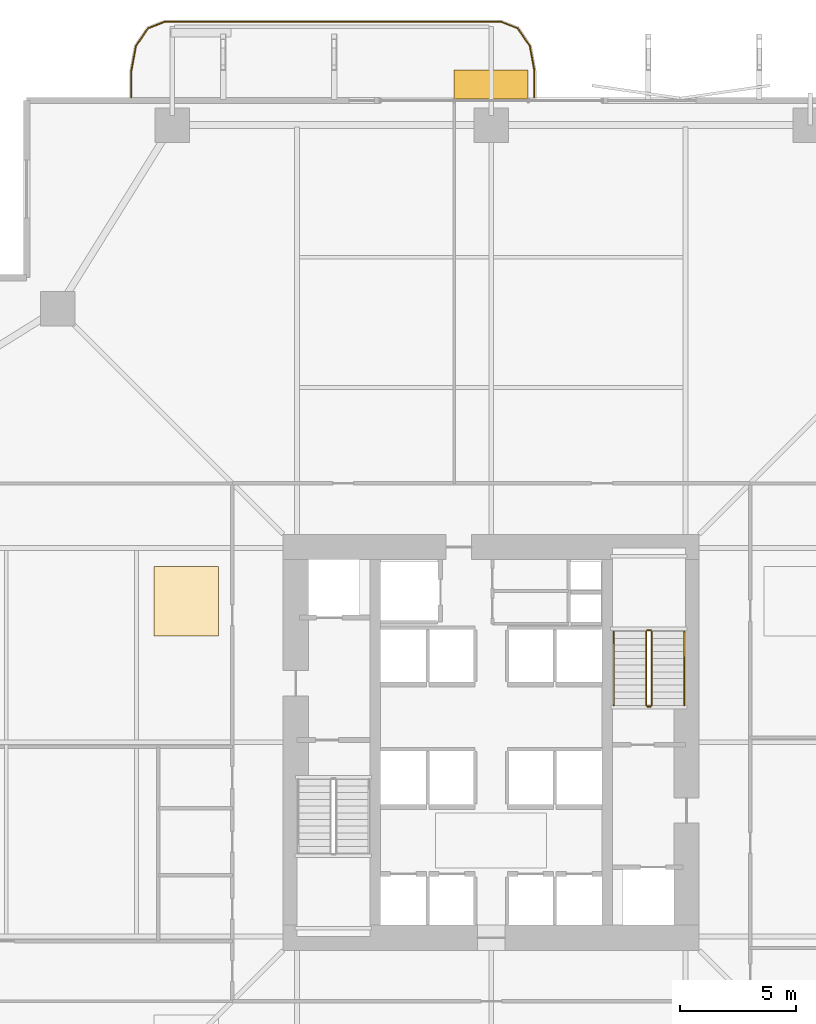
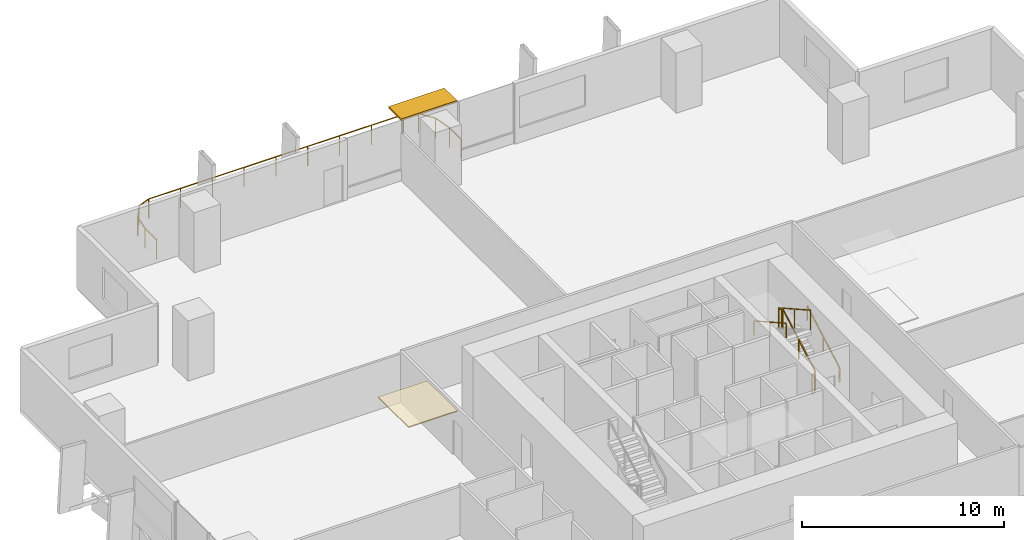
# One storey, part 22 of 23: 7 railings, 1 covering, 1 shading device.
"""IFC4 building model written with IfcOpenShell, lengths in metres."""

from ifc_helpers import new_model, si_unit, direction, frame, origin, origin_2d, place, context, subcontext, project, spatial, polyline, rectangle, outline, extrude, material, layer, layer_set, type_object, element, save


model = new_model("IFC4")

# Units and contexts
model_context = context("Model", 3, precision=1e-05, world=origin(), true_north=direction((0.0, 1.0)))
body_context = subcontext(model_context, "Body", "Model", "MODEL_VIEW")
ifc_project = project(units=[si_unit("LENGTHUNIT", "METRE"), si_unit("AREAUNIT", "SQUARE_METRE"), si_unit("VOLUMEUNIT", "CUBIC_METRE"), si_unit("PLANEANGLEUNIT", "RADIAN"), si_unit("MASSUNIT", "GRAM", prefix="KILO")], contexts=[model_context])

# Site, building, storey
site_placement = place(None, origin())
site = spatial("IfcSite", under=ifc_project, at=site_placement, CompositionType="ELEMENT")
building_placement = place(site_placement, origin())
building = spatial("IfcBuilding", under=site, at=building_placement, Name="Belovzor Exchange Tower", CompositionType="ELEMENT")
storey_placement = place(building_placement, frame((0.0, 0.0, 57.300048828125)))
storey = spatial("IfcBuildingStorey", under=building, at=storey_placement, Name="L13", CompositionType="ELEMENT", Elevation=57.300048828125)

# Railings
ifc_material_1 = material(Name="Stainless Steel Grade 304", Category="steel")
railing_type_1 = type_object("IfcRailingType", Name="Brushed Stainless Steel Stair Handrail 900", PredefinedType="HANDRAIL", material=ifc_material_1)
railing_1_placement = place(storey_placement, frame((37.14990234375, 30.39990234375, 0.162353515625)))
element("IfcRailing", 1, at=railing_1_placement, inside=storey, type_object=railing_type_1, Name="L13 ST-2 stair handrail 1", PredefinedType="HANDRAIL", context=body_context, shape_type="SweptSolid", body=[
    extrude(rectangle(XDim=0.048095703125, YDim=0.048095703125, at=origin_2d()), frame((0.0, 0.0, 0.8759765625), z_axis=(0.0, 0.87237847985, 0.488831042279), x_axis=(-1.0, 0.0, 0.0)), (0.0, 0.0, 1.0), 3.656982421875),
    extrude(rectangle(XDim=0.0419921875, YDim=0.0419921875, at=origin_2d()), origin(), (0.0, 0.0, 1.0), 0.851806640625),
    extrude(rectangle(XDim=0.0419921875, YDim=0.0419921875, at=origin_2d()), frame((0.0, 1.59521484375, 0.893798828125)), (0.0, 0.0, 1.0), 0.851806640625),
    extrude(rectangle(XDim=0.0419921875, YDim=0.0419921875, at=origin_2d()), frame((0.0, 3.190185546875, 1.78759765625)), (0.0, 0.0, 1.0), 0.851806640625),
])
railing_2_placement = place(storey_placement, frame((34.10009765625, 33.590087890625, 2.112548828125)))
element("IfcRailing", 2, at=railing_2_placement, inside=storey, type_object=railing_type_1, Name="L13 ST-2 stair handrail 2", PredefinedType="HANDRAIL", context=body_context, shape_type="SweptSolid", body=[
    extrude(rectangle(XDim=0.048095703125, YDim=0.048095703125, at=origin_2d()), frame((0.0, 0.0, 0.8759765625), z_axis=(0.0, -0.872406949647, 0.488780230991), x_axis=(1.0, 0.0, 0.0)), (0.0, 0.0, 1.0), 3.65673828125),
    extrude(rectangle(XDim=0.0419921875, YDim=0.0419921875, at=origin_2d()), origin(), (0.0, 0.0, 1.0), 0.851806640625),
    extrude(rectangle(XDim=0.0419921875, YDim=0.0419921875, at=origin_2d()), frame((0.0, -1.59521484375, 0.8935546875)), (0.0, 0.0, 1.0), 0.851806640625),
    extrude(rectangle(XDim=0.0419921875, YDim=0.0419921875, at=origin_2d()), frame((0.0, -3.190185546875, 1.787353515625)), (0.0, 0.0, 1.0), 0.851806640625),
])
ifc_material_2 = material(Name="Stainless Steel and Laminated Safety Glass", Category="steel")
railing_type_2 = type_object("IfcRailingType", Name="Laminated Glass & Stainless Steel Balcony Balustrade 1200", PredefinedType="BALUSTRADE", material=ifc_material_2)
railing_3_placement = place(storey_placement, frame((30.669921875, 56.7099609375, 0.0)))
element("IfcRailing", 3, at=railing_3_placement, inside=storey, type_object=railing_type_2, Name="GR-1 Balcony Balustrade L13 North", PredefinedType="BALUSTRADE", context=body_context, shape_type="SweptSolid", body=[
    extrude(rectangle(XDim=0.048095703125, YDim=0.048095703125, at=origin_2d()), frame((0.0, 0.0, 1.17578125), z_axis=(0.0, 1.0, 0.0), x_axis=(-1.0, 0.0, 0.0)), (0.0, 0.0, 1.0), 1.133056640625),
    extrude(rectangle(XDim=0.048095703125, YDim=0.048095703125, at=origin_2d()), frame((0.0, 1.133056640625, 1.17578125), z_axis=(-0.180122719713, 0.983644145941, 0.0), x_axis=(-0.983644145941, -0.180122719713, 0.0)), (0.0, 0.0, 1.0), 1.09375),
    extrude(rectangle(XDim=0.048095703125, YDim=0.048095703125, at=origin_2d()), frame((-0.197021484375, 2.208984375, 1.17578125), z_axis=(-0.562768145367, 0.826614792125, 0.0), x_axis=(-0.826614792125, -0.562768145367, 0.0)), (0.0, 0.0, 1.0), 0.9326171875),
    extrude(rectangle(XDim=0.048095703125, YDim=0.048095703125, at=origin_2d()), frame((-0.721923828125, 2.97998046875, 1.17578125), z_axis=(-0.930766990125, 0.365612923861, 0.0), x_axis=(-0.365612923861, -0.930766990125, 0.0)), (0.0, 0.0, 1.0), 0.765869140625),
    extrude(rectangle(XDim=0.048095703125, YDim=0.048095703125, at=origin_2d()), frame((-1.434814453125, 3.260009765625, 1.17578125), z_axis=(-1.0, 0.0, 0.0), x_axis=(0.0, -1.0, 0.0)), (0.0, 0.0, 1.0), 14.570068359375),
    extrude(rectangle(XDim=0.048095703125, YDim=0.048095703125, at=origin_2d()), frame((-16.0048828125, 3.260009765625, 1.17578125), z_axis=(-0.930809580156, -0.365504480807, 0.0), x_axis=(0.365504480807, -0.930809580156, 0.0)), (0.0, 0.0, 1.0), 0.76611328125),
    extrude(rectangle(XDim=0.048095703125, YDim=0.048095703125, at=origin_2d()), frame((-16.718017578125, 2.97998046875, 1.17578125), z_axis=(-0.562768145367, -0.826614792125, 0.0), x_axis=(0.826614792125, -0.562768145367, 0.0)), (0.0, 0.0, 1.0), 0.9326171875),
    extrude(rectangle(XDim=0.048095703125, YDim=0.048095703125, at=origin_2d()), frame((-17.242919921875, 2.208984375, 1.17578125), z_axis=(-0.180122719713, -0.983644145941, 0.0), x_axis=(0.983644145941, -0.180122719713, 0.0)), (0.0, 0.0, 1.0), 1.09375),
    extrude(rectangle(XDim=0.048095703125, YDim=0.048095703125, at=origin_2d()), frame((-17.43994140625, 1.133056640625, 1.17578125), z_axis=(0.0, -1.0, 0.0), x_axis=(1.0, 0.0, 0.0)), (0.0, 0.0, 1.0), 1.133056640625),
    extrude(rectangle(XDim=0.0419921875, YDim=0.0419921875, at=origin_2d()), origin(), (0.0, 0.0, 1.0), 1.15185546875),
    extrude(rectangle(XDim=0.0419921875, YDim=0.0419921875, at=origin_2d()), frame((0.0, 1.133056640625, 0.0)), (0.0, 0.0, 1.0), 1.15185546875),
    extrude(rectangle(XDim=0.0419921875, YDim=0.0419921875, at=origin_2d()), frame((-0.197021484375, 2.208984375, 0.0)), (0.0, 0.0, 1.0), 1.15185546875),
    extrude(rectangle(XDim=0.0419921875, YDim=0.0419921875, at=origin_2d()), frame((-0.721923828125, 2.97998046875, 0.0)), (0.0, 0.0, 1.0), 1.15185546875),
    extrude(rectangle(XDim=0.0419921875, YDim=0.0419921875, at=origin_2d()), frame((-1.434814453125, 3.260009765625, 0.0)), (0.0, 0.0, 1.0), 1.15185546875),
    extrude(rectangle(XDim=0.0419921875, YDim=0.0419921875, at=origin_2d()), frame((-3.256103515625, 3.260009765625, 0.0)), (0.0, 0.0, 1.0), 1.15185546875),
    extrude(rectangle(XDim=0.0419921875, YDim=0.0419921875, at=origin_2d()), frame((-5.077392578125, 3.260009765625, 0.0)), (0.0, 0.0, 1.0), 1.15185546875),
    extrude(rectangle(XDim=0.0419921875, YDim=0.0419921875, at=origin_2d()), frame((-6.898681640625, 3.260009765625, 0.0)), (0.0, 0.0, 1.0), 1.15185546875),
    extrude(rectangle(XDim=0.0419921875, YDim=0.0419921875, at=origin_2d()), frame((-8.7197265625, 3.260009765625, 0.0)), (0.0, 0.0, 1.0), 1.15185546875),
    extrude(rectangle(XDim=0.0419921875, YDim=0.0419921875, at=origin_2d()), frame((-10.541015625, 3.260009765625, 0.0)), (0.0, 0.0, 1.0), 1.15185546875),
    extrude(rectangle(XDim=0.0419921875, YDim=0.0419921875, at=origin_2d()), frame((-12.3623046875, 3.260009765625, 0.0)), (0.0, 0.0, 1.0), 1.15185546875),
    extrude(rectangle(XDim=0.0419921875, YDim=0.0419921875, at=origin_2d()), frame((-14.18359375, 3.260009765625, 0.0)), (0.0, 0.0, 1.0), 1.15185546875),
    extrude(rectangle(XDim=0.0419921875, YDim=0.0419921875, at=origin_2d()), frame((-16.0048828125, 3.260009765625, 0.0)), (0.0, 0.0, 1.0), 1.15185546875),
    extrude(rectangle(XDim=0.0419921875, YDim=0.0419921875, at=origin_2d()), frame((-16.718017578125, 2.97998046875, 0.0)), (0.0, 0.0, 1.0), 1.15185546875),
    extrude(rectangle(XDim=0.0419921875, YDim=0.0419921875, at=origin_2d()), frame((-17.242919921875, 2.208984375, 0.0)), (0.0, 0.0, 1.0), 1.15185546875),
    extrude(rectangle(XDim=0.0419921875, YDim=0.0419921875, at=origin_2d()), frame((-17.43994140625, 1.133056640625, 0.0)), (0.0, 0.0, 1.0), 1.15185546875),
    extrude(rectangle(XDim=0.0419921875, YDim=0.0419921875, at=origin_2d()), frame((-17.43994140625, 0.0, 0.0)), (0.0, 0.0, 1.0), 1.15185546875),
])
ifc_material_3 = material(Name="Steel S355", Category="steel")
railing_type_3 = type_object("IfcRailingType", Name="Painted Steel Stairwell Guardrail 1200", PredefinedType="GUARDRAIL", material=ifc_material_3)
railing_4_placement = place(storey_placement, frame((35.75, 30.39990234375, 0.162353515625)))
element("IfcRailing", 4, at=railing_4_placement, inside=storey, type_object=railing_type_3, Name="L13 ST-2 stair guard 1", PredefinedType="GUARDRAIL", context=body_context, shape_type="SweptSolid", body=[
    extrude(rectangle(XDim=0.048095703125, YDim=0.048095703125, at=origin_2d()), frame((0.0, 0.0, 1.17578125), z_axis=(0.0, 0.87237847985, 0.488831042279), x_axis=(-1.0, 0.0, 0.0)), (0.0, 0.0, 1.0), 3.656982421875),
    extrude(rectangle(XDim=0.0419921875, YDim=0.0419921875, at=origin_2d()), origin(), (0.0, 0.0, 1.0), 1.15185546875),
    extrude(rectangle(XDim=0.0419921875, YDim=0.0419921875, at=origin_2d()), frame((0.0, 1.59521484375, 0.893798828125)), (0.0, 0.0, 1.0), 1.15185546875),
    extrude(rectangle(XDim=0.0419921875, YDim=0.0419921875, at=origin_2d()), frame((0.0, 3.190185546875, 1.78759765625)), (0.0, 0.0, 1.0), 1.15185546875),
])
railing_5_placement = place(storey_placement, frame((35.699951171875, 33.639892578125, 1.949951171875)))
element("IfcRailing", 5, at=railing_5_placement, inside=storey, type_object=railing_type_3, Name="L13 ST-2 stair guard 2", PredefinedType="GUARDRAIL", context=body_context, shape_type="SweptSolid", body=[
    extrude(rectangle(XDim=0.048095703125, YDim=0.048095703125, at=origin_2d()), frame((0.0, 0.0, 1.17578125), z_axis=(-1.0, 0.0, 0.0), x_axis=(0.0, -1.0, 0.0)), (0.0, 0.0, 1.0), 0.14990234375),
    extrude(rectangle(XDim=0.0419921875, YDim=0.0419921875, at=origin_2d()), origin(), (0.0, 0.0, 1.0), 1.15185546875),
    extrude(rectangle(XDim=0.0419921875, YDim=0.0419921875, at=origin_2d()), frame((-0.14990234375, 0.0, 0.0)), (0.0, 0.0, 1.0), 1.15185546875),
])
railing_6_placement = place(storey_placement, frame((35.5, 33.590087890625, 2.112548828125)))
element("IfcRailing", 6, at=railing_6_placement, inside=storey, type_object=railing_type_3, Name="L13 ST-2 stair guard 3", PredefinedType="GUARDRAIL", context=body_context, shape_type="SweptSolid", body=[
    extrude(rectangle(XDim=0.048095703125, YDim=0.048095703125, at=origin_2d()), frame((0.0, 0.0, 1.17578125), z_axis=(0.0, -0.872406949647, 0.488780230991), x_axis=(1.0, 0.0, 0.0)), (0.0, 0.0, 1.0), 3.65673828125),
    extrude(rectangle(XDim=0.0419921875, YDim=0.0419921875, at=origin_2d()), origin(), (0.0, 0.0, 1.0), 1.15185546875),
    extrude(rectangle(XDim=0.0419921875, YDim=0.0419921875, at=origin_2d()), frame((0.0, -1.59521484375, 0.8935546875)), (0.0, 0.0, 1.0), 1.15185546875),
    extrude(rectangle(XDim=0.0419921875, YDim=0.0419921875, at=origin_2d()), frame((0.0, -3.190185546875, 1.787353515625)), (0.0, 0.0, 1.0), 1.15185546875),
])
railing_7_placement = place(storey_placement, frame((35.699951171875, 30.35009765625, 0.0)))
element("IfcRailing", 7, at=railing_7_placement, inside=storey, type_object=railing_type_3, Name="L13 ST-2 stair guard 4", PredefinedType="GUARDRAIL", context=body_context, shape_type="SweptSolid", body=[
    extrude(rectangle(XDim=0.048095703125, YDim=0.048095703125, at=origin_2d()), frame((0.0, 0.0, 1.17578125), z_axis=(-1.0, 0.0, 0.0), x_axis=(0.0, -1.0, 0.0)), (0.0, 0.0, 1.0), 0.14990234375),
    extrude(rectangle(XDim=0.0419921875, YDim=0.0419921875, at=origin_2d()), origin(), (0.0, 0.0, 1.0), 1.15185546875),
    extrude(rectangle(XDim=0.0419921875, YDim=0.0419921875, at=origin_2d()), frame((-0.14990234375, 0.0, 0.0)), (0.0, 0.0, 1.0), 1.15185546875),
])

# Covering
ifc_material_4 = material(Name="Perforated Powder-Coated Aluminium", Category="aluminium")
ifc_layer_1 = layer(ifc_material_4, 0.06005859375)
ifc_layer_set_1 = layer_set([ifc_layer_1], Name="Perforated Powder-Coated Aluminium")
covering_type = type_object("IfcCoveringType", Name="Perforated Acoustic Metal Tile Suspended Ceiling 60", PredefinedType="CEILING", material=ifc_layer_set_1)
covering_placement = place(storey_placement, frame((0.0, 0.0, 3.58984375)))
element("IfcCovering", 8, at=covering_placement, inside=storey, type_object=covering_type, Name="CLG-AC60 Suspended Ceiling CLG-L13-Z3", PredefinedType="CEILING", context=body_context, shape_type="SweptSolid", body=[
    extrude(outline(polyline([(14.199951171875, 33.39990234375), (17.0, 33.39990234375), (17.0, 36.39990234375), (14.199951171875, 36.39990234375), (14.199951171875, 33.39990234375)])), origin(), (0.0, 0.0, 1.0), 0.06005859375),
])

# Shading device
ifc_material_5 = material(Name="Extruded Architectural Terracotta", Category="masonry")
ifc_layer_2 = layer(ifc_material_5, 0.1201171875)
ifc_layer_set_2 = layer_set([ifc_layer_2], Name="Extruded Architectural Terracotta")
shading_device_type = type_object("IfcShadingDeviceType", Name="Streamline Terracotta Horizontal Sunshade Hood 1250", PredefinedType="AWNING", material=ifc_layer_set_2)
shading_device_placement = place(storey_placement, frame((28.800048828125, 57.264892578125, 3.52978515625), z_axis=(0.0, 0.0, 1.0), x_axis=(1.0, 0.0, 0.0)))
element("IfcShadingDevice", 9, at=shading_device_placement, inside=storey, type_object=shading_device_type, Name="SHD-TC125 Terracotta Sunshade L13 N", PredefinedType="AWNING", context=body_context, shape_type="SweptSolid", body=[
    extrude(rectangle(XDim=3.199951171875, YDim=1.25, at=origin_2d()), origin(), (0.0, 0.0, 1.0), 0.1201171875),
])

save(model, "model.ifc")
